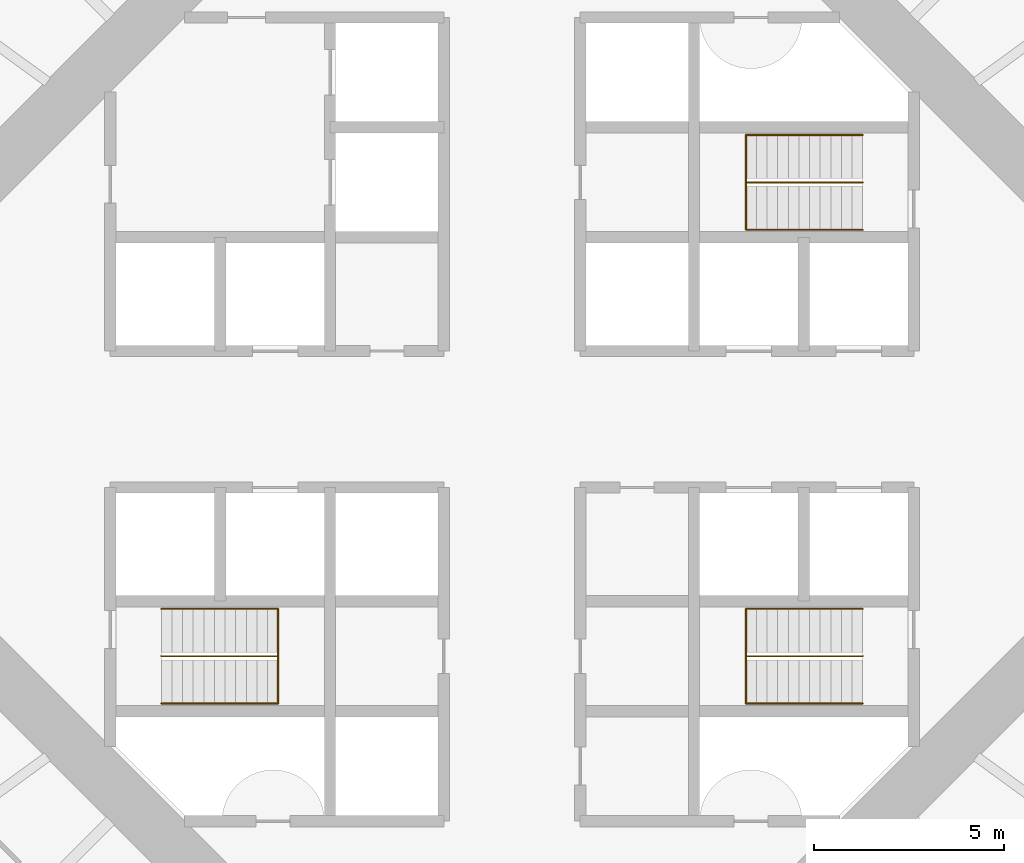
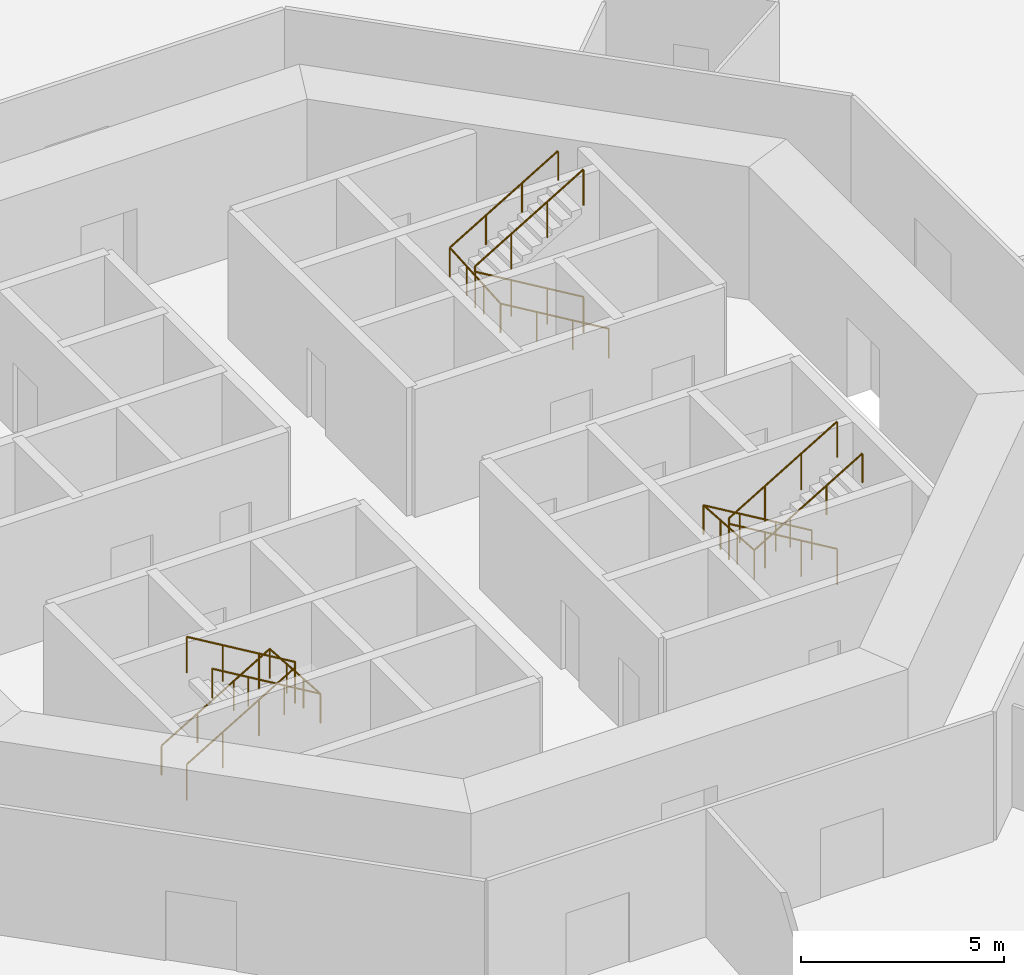
# One storey, part 12 of 12: 6 railings.
"""IFC4 building model written with IfcOpenShell, lengths in metres."""

from ifc_helpers import new_model, si_unit, direction, frame, origin, origin_2d, place, context, subcontext, project, spatial, circle, extrude, material, type_object, element, save


model = new_model("IFC4")

# Units and contexts
model_context = context("Model", 3, precision=1e-05, world=origin(), true_north=direction((0.0, 1.0)))
body_context = subcontext(model_context, "Body", "Model", "MODEL_VIEW")
ifc_project = project(units=[si_unit("LENGTHUNIT", "METRE"), si_unit("AREAUNIT", "SQUARE_METRE"), si_unit("VOLUMEUNIT", "CUBIC_METRE"), si_unit("PLANEANGLEUNIT", "RADIAN"), si_unit("MASSUNIT", "GRAM", prefix="KILO")], contexts=[model_context])

# Site, building, storey
site_placement = place(None, origin())
site = spatial("IfcSite", under=ifc_project, at=site_placement, CompositionType="ELEMENT")
building_placement = place(site_placement, origin())
building = spatial("IfcBuilding", under=site, at=building_placement, Name="Entoto Ring Tower", CompositionType="ELEMENT")
storey_placement = place(building_placement, frame((0.0, 0.0, 70.0)))
storey = spatial("IfcBuildingStorey", under=building, at=storey_placement, Name="L15", CompositionType="ELEMENT", Elevation=70.0)

# Railings
ifc_material_1 = material(Name="Steel S275", Category="steel")
railing_type_1 = type_object("IfcRailingType", Name="Stair guard 1100 mm steel", PredefinedType="GUARDRAIL", material=ifc_material_1)
railing_1_placement = place(storey_placement, frame((99.25, 86.25, 0.166748046875)))
element("IfcRailing", 1, at=railing_1_placement, inside=storey, type_object=railing_type_1, Name="Guard ST1", PredefinedType="GUARDRAIL", context=body_context, shape_type="SweptSolid", body=[
    extrude(circle(Radius=0.02392578125, at=origin_2d()), frame((0.0, 0.0, 1.076171875), z_axis=(-0.859308565015, 0.0, 0.511457515432), x_axis=(0.0, -1.0, 0.0)), (0.0, 0.0, 1.0), 3.58447265625),
    extrude(circle(Radius=0.02392578125, at=origin_2d()), frame((-3.080078125, 0.0, 2.9091796875), z_axis=(0.0, 0.0, 1.0), x_axis=(1.0, 0.0, 0.0)), (0.0, 0.0, 1.0), 0.166748046875),
    extrude(circle(Radius=0.02392578125, at=origin_2d()), frame((-3.080078125, 0.0, 3.076171875), z_axis=(0.859308565015, 0.0, 0.511457515432), x_axis=(0.0, 1.0, 0.0)), (0.0, 0.0, 1.0), 3.58447265625),
    extrude(circle(Radius=0.02099609375, at=origin_2d()), origin(), (0.0, 0.0, 1.0), 1.052001953125),
    extrude(circle(Radius=0.02099609375, at=origin_2d()), frame((-1.026611328125, 0.0, 0.611083984375)), (0.0, 0.0, 1.0), 1.052001953125),
    extrude(circle(Radius=0.02099609375, at=origin_2d()), frame((-2.053466796875, 0.0, 1.22216796875)), (0.0, 0.0, 1.0), 1.052001953125),
    extrude(circle(Radius=0.02099609375, at=origin_2d()), frame((-3.080078125, 0.0, 1.833251953125)), (0.0, 0.0, 1.0), 1.052001953125),
    extrude(circle(Radius=0.02099609375, at=origin_2d()), frame((-3.080078125, 0.0, 2.0)), (0.0, 0.0, 1.0), 1.052001953125),
    extrude(circle(Radius=0.02099609375, at=origin_2d()), frame((-2.053466796875, 0.0, 2.611083984375)), (0.0, 0.0, 1.0), 1.052001953125),
    extrude(circle(Radius=0.02099609375, at=origin_2d()), frame((-1.026611328125, 0.0, 3.22216796875)), (0.0, 0.0, 1.0), 1.052001953125),
    extrude(circle(Radius=0.02099609375, at=origin_2d()), frame((0.0, 0.0, 3.833251953125)), (0.0, 0.0, 1.0), 1.052001953125),
])
railing_2_placement = place(storey_placement, frame((80.75, 73.75, 0.166748046875)))
element("IfcRailing", 2, at=railing_2_placement, inside=storey, type_object=railing_type_1, Name="Guard ST2", PredefinedType="GUARDRAIL", context=body_context, shape_type="SweptSolid", body=[
    extrude(circle(Radius=0.02392578125, at=origin_2d()), frame((0.0, 0.0, 1.076171875), z_axis=(0.859308565015, 0.0, 0.511457515432), x_axis=(0.0, 1.0, 0.0)), (0.0, 0.0, 1.0), 3.58447265625),
    extrude(circle(Radius=0.02392578125, at=origin_2d()), frame((3.080078125, 0.0, 2.9091796875), z_axis=(0.0, 0.0, 1.0), x_axis=(1.0, 0.0, 0.0)), (0.0, 0.0, 1.0), 0.166748046875),
    extrude(circle(Radius=0.02392578125, at=origin_2d()), frame((3.080078125, 0.0, 3.076171875), z_axis=(-0.859308565015, 0.0, 0.511457515432), x_axis=(0.0, -1.0, 0.0)), (0.0, 0.0, 1.0), 3.58447265625),
    extrude(circle(Radius=0.02099609375, at=origin_2d()), origin(), (0.0, 0.0, 1.0), 1.052001953125),
    extrude(circle(Radius=0.02099609375, at=origin_2d()), frame((1.026611328125, 0.0, 0.611083984375)), (0.0, 0.0, 1.0), 1.052001953125),
    extrude(circle(Radius=0.02099609375, at=origin_2d()), frame((2.053466796875, 0.0, 1.22216796875)), (0.0, 0.0, 1.0), 1.052001953125),
    extrude(circle(Radius=0.02099609375, at=origin_2d()), frame((3.080078125, 0.0, 1.833251953125)), (0.0, 0.0, 1.0), 1.052001953125),
    extrude(circle(Radius=0.02099609375, at=origin_2d()), frame((3.080078125, 0.0, 2.0)), (0.0, 0.0, 1.0), 1.052001953125),
    extrude(circle(Radius=0.02099609375, at=origin_2d()), frame((2.053466796875, 0.0, 2.611083984375)), (0.0, 0.0, 1.0), 1.052001953125),
    extrude(circle(Radius=0.02099609375, at=origin_2d()), frame((1.026611328125, 0.0, 3.22216796875)), (0.0, 0.0, 1.0), 1.052001953125),
    extrude(circle(Radius=0.02099609375, at=origin_2d()), frame((0.0, 0.0, 3.833251953125)), (0.0, 0.0, 1.0), 1.052001953125),
])
railing_3_placement = place(storey_placement, frame((99.25, 73.75, 0.166748046875)))
element("IfcRailing", 3, at=railing_3_placement, inside=storey, type_object=railing_type_1, Name="Guard ST3", PredefinedType="GUARDRAIL", context=body_context, shape_type="SweptSolid", body=[
    extrude(circle(Radius=0.02392578125, at=origin_2d()), frame((0.0, 0.0, 1.076171875), z_axis=(-0.859308565015, 0.0, 0.511457515432), x_axis=(0.0, -1.0, 0.0)), (0.0, 0.0, 1.0), 3.58447265625),
    extrude(circle(Radius=0.02392578125, at=origin_2d()), frame((-3.080078125, 0.0, 2.9091796875), z_axis=(0.0, 0.0, 1.0), x_axis=(1.0, 0.0, 0.0)), (0.0, 0.0, 1.0), 0.166748046875),
    extrude(circle(Radius=0.02392578125, at=origin_2d()), frame((-3.080078125, 0.0, 3.076171875), z_axis=(0.859308565015, 0.0, 0.511457515432), x_axis=(0.0, 1.0, 0.0)), (0.0, 0.0, 1.0), 3.58447265625),
    extrude(circle(Radius=0.02099609375, at=origin_2d()), origin(), (0.0, 0.0, 1.0), 1.052001953125),
    extrude(circle(Radius=0.02099609375, at=origin_2d()), frame((-1.026611328125, 0.0, 0.611083984375)), (0.0, 0.0, 1.0), 1.052001953125),
    extrude(circle(Radius=0.02099609375, at=origin_2d()), frame((-2.053466796875, 0.0, 1.22216796875)), (0.0, 0.0, 1.0), 1.052001953125),
    extrude(circle(Radius=0.02099609375, at=origin_2d()), frame((-3.080078125, 0.0, 1.833251953125)), (0.0, 0.0, 1.0), 1.052001953125),
    extrude(circle(Radius=0.02099609375, at=origin_2d()), frame((-3.080078125, 0.0, 2.0)), (0.0, 0.0, 1.0), 1.052001953125),
    extrude(circle(Radius=0.02099609375, at=origin_2d()), frame((-2.053466796875, 0.0, 2.611083984375)), (0.0, 0.0, 1.0), 1.052001953125),
    extrude(circle(Radius=0.02099609375, at=origin_2d()), frame((-1.026611328125, 0.0, 3.22216796875)), (0.0, 0.0, 1.0), 1.052001953125),
    extrude(circle(Radius=0.02099609375, at=origin_2d()), frame((0.0, 0.0, 3.833251953125)), (0.0, 0.0, 1.0), 1.052001953125),
])
ifc_material_2 = material(Name="Steel S275", Category="steel")
railing_type_2 = type_object("IfcRailingType", Name="Stair handrail 900 mm steel", PredefinedType="HANDRAIL", material=ifc_material_2)
railing_4_placement = place(storey_placement, frame((99.25, 85.0, 0.166748046875)))
element("IfcRailing", 4, at=railing_4_placement, inside=storey, type_object=railing_type_2, Name="Handrail ST1", PredefinedType="HANDRAIL", context=body_context, shape_type="SweptSolid", body=[
    extrude(circle(Radius=0.02392578125, at=origin_2d()), frame((0.0, 0.0, 0.8759765625), z_axis=(-0.859308565015, 0.0, 0.511457515432), x_axis=(0.0, -1.0, 0.0)), (0.0, 0.0, 1.0), 3.58447265625),
    extrude(circle(Radius=0.02392578125, at=origin_2d()), frame((-3.080078125, 0.0, 2.708984375), z_axis=(0.0, 0.997783001586, 0.066551346688), x_axis=(-1.0, 0.0, 0.0)), (0.0, 0.0, 1.0), 2.505615234375),
    extrude(circle(Radius=0.02392578125, at=origin_2d()), frame((-3.080078125, 2.5, 2.8759765625), z_axis=(0.859308565015, 0.0, 0.511457515432), x_axis=(0.0, 1.0, 0.0)), (0.0, 0.0, 1.0), 3.58447265625),
    extrude(circle(Radius=0.02099609375, at=origin_2d()), origin(), (0.0, 0.0, 1.0), 0.851806640625),
    extrude(circle(Radius=0.02099609375, at=origin_2d()), frame((-1.026611328125, 0.0, 0.611083984375)), (0.0, 0.0, 1.0), 0.851806640625),
    extrude(circle(Radius=0.02099609375, at=origin_2d()), frame((-2.053466796875, 0.0, 1.22216796875)), (0.0, 0.0, 1.0), 0.851806640625),
    extrude(circle(Radius=0.02099609375, at=origin_2d()), frame((-3.080078125, 0.0, 1.833251953125)), (0.0, 0.0, 1.0), 0.851806640625),
    extrude(circle(Radius=0.02099609375, at=origin_2d()), frame((-3.080078125, 0.833251953125, 1.888916015625)), (0.0, 0.0, 1.0), 0.851806640625),
    extrude(circle(Radius=0.02099609375, at=origin_2d()), frame((-3.080078125, 1.666748046875, 1.9443359375)), (0.0, 0.0, 1.0), 0.851806640625),
    extrude(circle(Radius=0.02099609375, at=origin_2d()), frame((-3.080078125, 2.5, 2.0)), (0.0, 0.0, 1.0), 0.851806640625),
    extrude(circle(Radius=0.02099609375, at=origin_2d()), frame((-2.053466796875, 2.5, 2.611083984375)), (0.0, 0.0, 1.0), 0.851806640625),
    extrude(circle(Radius=0.02099609375, at=origin_2d()), frame((-1.026611328125, 2.5, 3.22216796875)), (0.0, 0.0, 1.0), 0.851806640625),
    extrude(circle(Radius=0.02099609375, at=origin_2d()), frame((0.0, 2.5, 3.833251953125)), (0.0, 0.0, 1.0), 0.851806640625),
])
railing_5_placement = place(storey_placement, frame((80.75, 75.0, 0.166748046875)))
element("IfcRailing", 5, at=railing_5_placement, inside=storey, type_object=railing_type_2, Name="Handrail ST2", PredefinedType="HANDRAIL", context=body_context, shape_type="SweptSolid", body=[
    extrude(circle(Radius=0.02392578125, at=origin_2d()), frame((0.0, 0.0, 0.8759765625), z_axis=(0.859308565015, 0.0, 0.511457515432), x_axis=(0.0, 1.0, 0.0)), (0.0, 0.0, 1.0), 3.58447265625),
    extrude(circle(Radius=0.02392578125, at=origin_2d()), frame((3.080078125, 0.0, 2.708984375), z_axis=(0.0, -0.997783001586, 0.066551346688), x_axis=(1.0, 0.0, 0.0)), (0.0, 0.0, 1.0), 2.505615234375),
    extrude(circle(Radius=0.02392578125, at=origin_2d()), frame((3.080078125, -2.5, 2.8759765625), z_axis=(-0.859308565015, 0.0, 0.511457515432), x_axis=(0.0, -1.0, 0.0)), (0.0, 0.0, 1.0), 3.58447265625),
    extrude(circle(Radius=0.02099609375, at=origin_2d()), origin(), (0.0, 0.0, 1.0), 0.851806640625),
    extrude(circle(Radius=0.02099609375, at=origin_2d()), frame((1.026611328125, 0.0, 0.611083984375)), (0.0, 0.0, 1.0), 0.851806640625),
    extrude(circle(Radius=0.02099609375, at=origin_2d()), frame((2.053466796875, 0.0, 1.22216796875)), (0.0, 0.0, 1.0), 0.851806640625),
    extrude(circle(Radius=0.02099609375, at=origin_2d()), frame((3.080078125, 0.0, 1.833251953125)), (0.0, 0.0, 1.0), 0.851806640625),
    extrude(circle(Radius=0.02099609375, at=origin_2d()), frame((3.080078125, -0.833251953125, 1.888916015625)), (0.0, 0.0, 1.0), 0.851806640625),
    extrude(circle(Radius=0.02099609375, at=origin_2d()), frame((3.080078125, -1.666748046875, 1.9443359375)), (0.0, 0.0, 1.0), 0.851806640625),
    extrude(circle(Radius=0.02099609375, at=origin_2d()), frame((3.080078125, -2.5, 2.0)), (0.0, 0.0, 1.0), 0.851806640625),
    extrude(circle(Radius=0.02099609375, at=origin_2d()), frame((2.053466796875, -2.5, 2.611083984375)), (0.0, 0.0, 1.0), 0.851806640625),
    extrude(circle(Radius=0.02099609375, at=origin_2d()), frame((1.026611328125, -2.5, 3.22216796875)), (0.0, 0.0, 1.0), 0.851806640625),
    extrude(circle(Radius=0.02099609375, at=origin_2d()), frame((0.0, -2.5, 3.833251953125)), (0.0, 0.0, 1.0), 0.851806640625),
])
railing_6_placement = place(storey_placement, frame((99.25, 75.0, 0.166748046875)))
element("IfcRailing", 6, at=railing_6_placement, inside=storey, type_object=railing_type_2, Name="Handrail ST3", PredefinedType="HANDRAIL", context=body_context, shape_type="SweptSolid", body=[
    extrude(circle(Radius=0.02392578125, at=origin_2d()), frame((0.0, 0.0, 0.8759765625), z_axis=(-0.859308565015, 0.0, 0.511457515432), x_axis=(0.0, -1.0, 0.0)), (0.0, 0.0, 1.0), 3.58447265625),
    extrude(circle(Radius=0.02392578125, at=origin_2d()), frame((-3.080078125, 0.0, 2.708984375), z_axis=(0.0, -0.997783001586, 0.066551346688), x_axis=(1.0, 0.0, 0.0)), (0.0, 0.0, 1.0), 2.505615234375),
    extrude(circle(Radius=0.02392578125, at=origin_2d()), frame((-3.080078125, -2.5, 2.8759765625), z_axis=(0.859308565015, 0.0, 0.511457515432), x_axis=(0.0, 1.0, 0.0)), (0.0, 0.0, 1.0), 3.58447265625),
    extrude(circle(Radius=0.02099609375, at=origin_2d()), origin(), (0.0, 0.0, 1.0), 0.851806640625),
    extrude(circle(Radius=0.02099609375, at=origin_2d()), frame((-1.026611328125, 0.0, 0.611083984375)), (0.0, 0.0, 1.0), 0.851806640625),
    extrude(circle(Radius=0.02099609375, at=origin_2d()), frame((-2.053466796875, 0.0, 1.22216796875)), (0.0, 0.0, 1.0), 0.851806640625),
    extrude(circle(Radius=0.02099609375, at=origin_2d()), frame((-3.080078125, 0.0, 1.833251953125)), (0.0, 0.0, 1.0), 0.851806640625),
    extrude(circle(Radius=0.02099609375, at=origin_2d()), frame((-3.080078125, -0.833251953125, 1.888916015625)), (0.0, 0.0, 1.0), 0.851806640625),
    extrude(circle(Radius=0.02099609375, at=origin_2d()), frame((-3.080078125, -1.666748046875, 1.9443359375)), (0.0, 0.0, 1.0), 0.851806640625),
    extrude(circle(Radius=0.02099609375, at=origin_2d()), frame((-3.080078125, -2.5, 2.0)), (0.0, 0.0, 1.0), 0.851806640625),
    extrude(circle(Radius=0.02099609375, at=origin_2d()), frame((-2.053466796875, -2.5, 2.611083984375)), (0.0, 0.0, 1.0), 0.851806640625),
    extrude(circle(Radius=0.02099609375, at=origin_2d()), frame((-1.026611328125, -2.5, 3.22216796875)), (0.0, 0.0, 1.0), 0.851806640625),
    extrude(circle(Radius=0.02099609375, at=origin_2d()), frame((0.0, -2.5, 3.833251953125)), (0.0, 0.0, 1.0), 0.851806640625),
])

save(model, "model.ifc")
